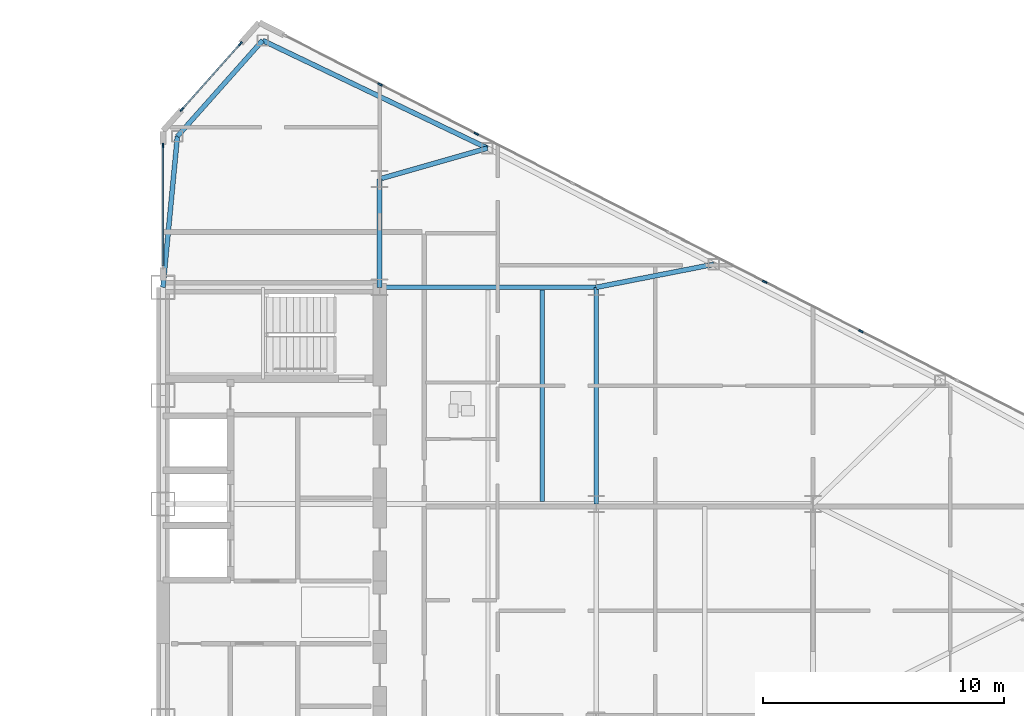
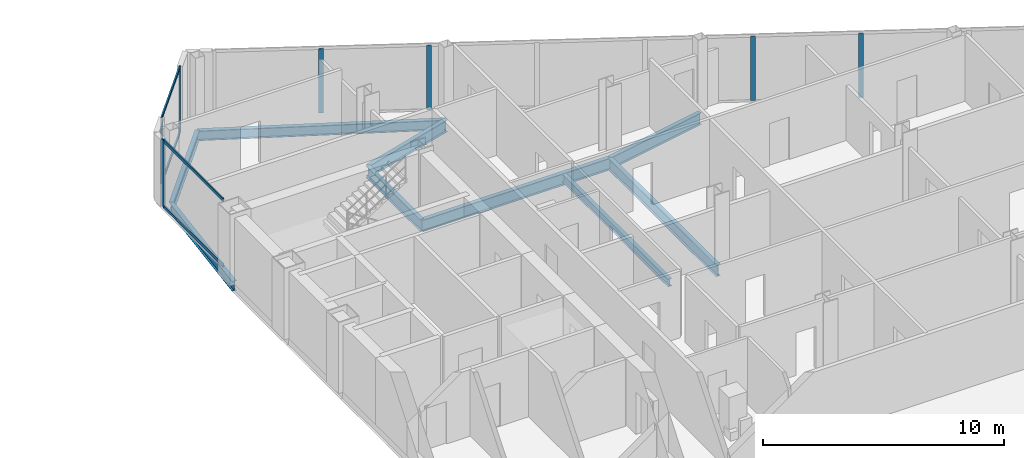
# One storey, part 11 of 22: 11 members, 9 beams, 3 elements without a shape of their own.
"""IFC4 building model written with IfcOpenShell, lengths in metres."""

from ifc_helpers import new_model, si_unit, direction, frame, origin, origin_2d, place, context, subcontext, project, spatial, rectangle, i_section, extrude, source, transform, mapped, material, layer, layer_set, material_profile, profile_set, type_object, type_shapes, element, aggregate, save


model = new_model("IFC4")

# Units and contexts
model_context = context("Model", 3, precision=1e-05, world=origin(), true_north=direction((0.0, 1.0)))
body_context = subcontext(model_context, "Body", "Model", "MODEL_VIEW")
ifc_project = project(units=[si_unit("LENGTHUNIT", "METRE"), si_unit("AREAUNIT", "SQUARE_METRE"), si_unit("VOLUMEUNIT", "CUBIC_METRE"), si_unit("PLANEANGLEUNIT", "RADIAN"), si_unit("MASSUNIT", "GRAM", prefix="KILO")], contexts=[model_context])

# Site, building, storey
site_placement = place(None, origin())
site = spatial("IfcSite", under=ifc_project, at=site_placement, CompositionType="ELEMENT")
building_placement = place(site_placement, origin())
building = spatial("IfcBuilding", under=site, at=building_placement, Name="Seokmaru Belvedere", CompositionType="ELEMENT")
storey_placement = place(building_placement, frame((0.0, 0.0, 151.199951171875)))
storey = spatial("IfcBuildingStorey", under=building, at=storey_placement, Name="L40", CompositionType="ELEMENT", Elevation=151.199951171875)

# Beams
ifc_material_1 = material(Name="Steel SM355 (355 MPa)", Category="steel")
ifc_material_profile_1 = material_profile(ifc_material_1, i_section(OverallWidth=0.199951171875, OverallDepth=0.60009765625, WebThickness=0.010986328125, FlangeThickness=0.01708984375, at=origin_2d()), Name="H-600x200x11x17")
ifc_profile_set_1 = profile_set([ifc_material_profile_1], Name="Steel SM355 (355 MPa)")
beam_type_1 = type_object("IfcBeamType", Name="Primary Floor Girder H-600", PredefinedType="BEAM", material=ifc_profile_set_1)
shared_shape_1 = source(origin(), body_context, "Body", "SweptSolid", [
    extrude(i_section(OverallWidth=0.199951171875, OverallDepth=0.60009765625, WebThickness=0.010986328125, FlangeThickness=0.01708984375, at=origin_2d()), origin(), (0.0, 0.0, 1.0), 9.0),
])
for number, where, z_axis, x_axis, name in (
    (1, (45.5, 4.5, -0.52001953125), (0.0, 1.0, 0.0), (-1.0, 0.0, 0.0), "L40 E Interior Grid Girder 3"),
    (2, (36.5, 13.5, -0.52001953125), (1.0, 0.0, 0.0), (0.0, 1.0, 0.0), "L40 E Wing Primary Girder 4"),
):
    element("IfcBeam", number, at=place(storey_placement, frame(where, z_axis=z_axis, x_axis=x_axis)), inside=storey, type_object=beam_type_1, Name=name, PredefinedType="BEAM", context=body_context, shape_type="MappedRepresentation", body=[
        mapped(shared_shape_1, transform((0.0, 0.0, 0.0), scale=1.0)),
    ])
ifc_material_profile_2 = material_profile(ifc_material_1, i_section(OverallWidth=0.18505859375, OverallDepth=0.389892578125, WebThickness=0.008056640625, FlangeThickness=0.011962890625, at=origin_2d()), Name="H-390x185x8x12")
ifc_profile_set_2 = profile_set([ifc_material_profile_2], Name="Steel SM355 (355 MPa)")
beam_type_2 = type_object("IfcBeamType", Name="Secondary Floor Joist H-350", PredefinedType="JOIST", material=ifc_profile_set_2)
shared_shape_2 = source(origin(), body_context, "Body", "SweptSolid", [
    extrude(i_section(OverallWidth=0.18505859375, OverallDepth=0.389892578125, WebThickness=0.008056640625, FlangeThickness=0.011962890625, at=origin_2d()), origin(), (0.0, 0.0, 1.0), 8.7900390625),
])
type_shapes(beam_type_2, [shared_shape_2])
beam_1_placement = place(storey_placement, frame((43.25, 4.60498046875, -0.4150390625), z_axis=(0.0, 1.0, 0.0), x_axis=(-1.0, 0.0, 0.0)))
element("IfcBeam", 3, at=beam_1_placement, inside=storey, type_object=beam_type_2, Name="L40 E Wing Inner Secondary Joist 2", PredefinedType="JOIST", context=body_context, shape_type="MappedRepresentation", body=[
    mapped(shared_shape_2, transform((0.0, 0.0, 0.0), scale=1.0)),
])
shared_shape_3 = source(origin(), body_context, "Body", "SweptSolid", [
    extrude(i_section(OverallWidth=0.199951171875, OverallDepth=0.60009765625, WebThickness=0.010986328125, FlangeThickness=0.01708984375, at=origin_2d()), origin(), (0.0, 0.0, 1.0), 4.5),
])
beam_2_placement = place(storey_placement, frame((36.5, 13.5, -0.52001953125), z_axis=(0.0, 1.0, 0.0), x_axis=(-1.0, 0.0, 0.0)))
element("IfcBeam", 4, at=beam_2_placement, inside=storey, type_object=beam_type_1, Name="L40 E Core Shoulder Girder N", PredefinedType="BEAM", context=body_context, shape_type="MappedRepresentation", body=[
    mapped(shared_shape_3, transform((0.0, 0.0, 0.0), scale=1.0)),
])
ifc_material_profile_3 = material_profile(ifc_material_1, i_section(OverallWidth=0.199951171875, OverallDepth=0.5, WebThickness=0.010009765625, FlangeThickness=0.01611328125, at=origin_2d()), Name="H-500x200x10x16")
ifc_profile_set_3 = profile_set([ifc_material_profile_3], Name="Steel SM355 (355 MPa)")
beam_type_3 = type_object("IfcBeamType", Name="Perimeter Spandrel Beam H-500", PredefinedType="SPANDREL", material=ifc_profile_set_3)
shared_shape_4 = source(origin(), body_context, "Body", "SweptSolid", [
    extrude(i_section(OverallWidth=0.199951171875, OverallDepth=0.5, WebThickness=0.010009765625, FlangeThickness=0.01611328125, at=origin_2d()), origin(), (0.0, 0.0, 1.0), 10.353759765625),
])
beam_3_placement = place(storey_placement, frame((31.6396484375, 23.75390625, -0.469970703125), z_axis=(0.901713202822, -0.432334708134, 0.0), x_axis=(0.432334708134, 0.901713202822, 0.0)))
element("IfcBeam", 5, at=beam_3_placement, inside=storey, type_object=beam_type_3, Name="L40 E Faceted Flank Spandrel N-1", PredefinedType="SPANDREL", context=body_context, shape_type="MappedRepresentation", body=[
    mapped(shared_shape_4, transform((0.0, 0.0, 0.0), scale=1.0)),
])
shared_shape_5 = source(origin(), body_context, "Body", "SweptSolid", [
    extrude(i_section(OverallWidth=0.199951171875, OverallDepth=0.5, WebThickness=0.010009765625, FlangeThickness=0.01611328125, at=origin_2d()), origin(), (0.0, 0.0, 1.0), 5.32763671875),
])
beam_4_placement = place(storey_placement, frame((31.6396484375, 23.75390625, -0.469970703125), z_axis=(-0.66436952742, -0.74740426212, 0.0), x_axis=(0.74740426212, -0.66436952742, 0.0)))
element("IfcBeam", 6, at=beam_4_placement, inside=storey, type_object=beam_type_3, Name="L40 E Shoulder Chamfer Spandrel N", PredefinedType="SPANDREL", context=body_context, shape_type="MappedRepresentation", body=[
    mapped(shared_shape_5, transform((0.0, 0.0, 0.0), scale=1.0)),
])
shared_shape_6 = source(origin(), body_context, "Body", "SweptSolid", [
    extrude(i_section(OverallWidth=0.199951171875, OverallDepth=0.5, WebThickness=0.010009765625, FlangeThickness=0.01611328125, at=origin_2d()), origin(), (0.0, 0.0, 1.0), 6.300537109375),
])
type_shapes(beam_type_3, [shared_shape_4, shared_shape_5, shared_shape_6])
beam_5_placement = place(storey_placement, frame((28.10009765625, 19.77197265625, -0.469970703125), z_axis=(-0.095244287992, -0.995453929424, 0.0), x_axis=(0.995453929424, -0.095244287992, 0.0)))
element("IfcBeam", 7, at=beam_5_placement, inside=storey, type_object=beam_type_3, Name="L40 E Shoulder Spine Spandrel N", PredefinedType="SPANDREL", context=body_context, shape_type="MappedRepresentation", body=[
    mapped(shared_shape_6, transform((0.0, 0.0, 0.0), scale=1.0)),
])
shared_shape_7 = source(origin(), body_context, "Body", "SweptSolid", [
    extrude(i_section(OverallWidth=0.199951171875, OverallDepth=0.60009765625, WebThickness=0.010986328125, FlangeThickness=0.01708984375, at=origin_2d()), origin(), (0.0, 0.0, 1.0), 4.654541015625),
])
beam_6_placement = place(storey_placement, frame((40.975830078125, 19.277587890625, -0.52001953125), z_axis=(-0.961593192625, -0.274478654721, 0.0), x_axis=(0.274478654721, -0.961593192625, 0.0)))
element("IfcBeam", 8, at=beam_6_placement, inside=storey, type_object=beam_type_1, Name="L40 E Flank Radial Floor Girder N-1", PredefinedType="BEAM", context=body_context, shape_type="MappedRepresentation", body=[
    mapped(shared_shape_7, transform((0.0, 0.0, 0.0), scale=1.0)),
])
shared_shape_8 = source(origin(), body_context, "Body", "SweptSolid", [
    extrude(i_section(OverallWidth=0.199951171875, OverallDepth=0.60009765625, WebThickness=0.010986328125, FlangeThickness=0.01708984375, at=origin_2d()), origin(), (0.0, 0.0, 1.0), 4.969482421875),
])
type_shapes(beam_type_1, [shared_shape_1, shared_shape_3, shared_shape_7, shared_shape_8])
beam_7_placement = place(storey_placement, frame((50.377197265625, 14.453369140625, -0.52001953125), z_axis=(-0.98142544456, -0.19184393858, 0.0), x_axis=(0.19184393858, -0.98142544456, 0.0)))
element("IfcBeam", 9, at=beam_7_placement, inside=storey, type_object=beam_type_1, Name="L40 E Flank Radial Floor Girder N-2", PredefinedType="BEAM", context=body_context, shape_type="MappedRepresentation", body=[
    mapped(shared_shape_8, transform((0.0, 0.0, 0.0), scale=1.0)),
])

# Curtain wall, members
ifc_material_2 = material(Name="Bronze Triple Insulating Glass", Category="glass")
ifc_layer = layer(ifc_material_2, 0.195068359375)
ifc_layer_set = layer_set([ifc_layer], Name="Bronze Triple Insulating Glass")
curtain_wall_type = type_object("IfcCurtainWallType", Name="Sky-Lobby and Mid-Rise Curtain Wall System CW-4", PredefinedType="NOTDEFINED", material=ifc_layer_set)
curtain_wall_1_placement = place(storey_placement, origin())
curtain_wall_1 = element("IfcCurtainWall", 10, at=curtain_wall_1_placement, inside=storey, type_object=curtain_wall_type, Name="L40 Curtain Wall EF4", PredefinedType="NOTDEFINED")
ifc_material_3 = material(Name="Anodised Bronze Aluminium", Category="aluminium")
ifc_material_profile_4 = material_profile(ifc_material_3, rectangle(XDim=0.070068359375, YDim=0.195068359375, at=origin_2d()), Name="CW-M-70x195")
ifc_profile_set_4 = profile_set([ifc_material_profile_4], Name="Anodised Bronze Aluminium")
member_type_1 = type_object("IfcMemberType", Name="Bronze Unitised Mullion 70x195", PredefinedType="MULLION", material=ifc_profile_set_4)
shared_shape_9 = source(origin(), body_context, "Body", "SweptSolid", [
    extrude(rectangle(XDim=0.070068359375, YDim=0.195068359375, at=origin_2d()), origin(), (0.0, 0.0, 1.0), 3.380126953125),
])
member_1_placement = place(storey_placement, frame((30.712646484375, 23.6142578125, 0.0), z_axis=(0.0, 0.0, 1.0), x_axis=(0.747409774804, -0.664363325694, 0.0)))
member_1 = element("IfcMember", 11, at=member_1_placement, type_object=member_type_1, Name="CW:L40:EF4 Mullion 1", PredefinedType="MULLION", context=body_context, shape_type="MappedRepresentation", body=[
    mapped(shared_shape_9, transform((0.0, 0.0, 0.0), scale=1.0)),
])
member_2_placement = place(storey_placement, frame((28.287353515625, 20.8857421875, 0.0), z_axis=(0.0, 0.0, 1.0), x_axis=(0.747409774804, -0.664363325694, 0.0)))
member_2 = element("IfcMember", 12, at=member_2_placement, type_object=member_type_1, Name="CW:L40:EF4 Mullion 2", PredefinedType="MULLION", context=body_context, shape_type="MappedRepresentation", body=[
    mapped(shared_shape_9, transform((0.0, 0.0, 0.0), scale=1.0)),
])

# Curtain wall, member
curtain_wall_2_placement = place(storey_placement, origin())
curtain_wall_2 = element("IfcCurtainWall", 13, at=curtain_wall_2_placement, inside=storey, type_object=curtain_wall_type, Name="L40 Curtain Wall ESP_2", PredefinedType="NOTDEFINED")
member_3_placement = place(storey_placement, frame((27.5, 19.39501953125, 0.0), z_axis=(0.0, 0.0, 1.0), x_axis=(1.0, 0.0, 0.0)))
member_3 = element("IfcMember", 14, at=member_3_placement, type_object=member_type_1, Name="CW:L40:ESP_2 Mullion 1", PredefinedType="MULLION", context=body_context, shape_type="MappedRepresentation", body=[
    mapped(shared_shape_9, transform((0.0, 0.0, 0.0), scale=1.0)),
])

# Member
ifc_material_profile_5 = material_profile(ifc_material_3, rectangle(XDim=0.06494140625, YDim=0.14990234375, at=origin_2d()), Name="CW-T-65x150")
ifc_profile_set_5 = profile_set([ifc_material_profile_5], Name="Anodised Bronze Aluminium")
member_type_2 = type_object("IfcMemberType", Name="Bronze Unitised Transom 65x150", PredefinedType="USERDEFINED", material=ifc_profile_set_5)
shared_shape_10 = source(origin(), body_context, "Body", "SweptSolid", [
    extrude(rectangle(XDim=0.06494140625, YDim=0.14990234375, at=origin_2d()), origin(), (0.0, 0.0, 1.0), 3.580810546875),
])
member_4_placement = place(storey_placement, frame((30.689453125, 23.588134765625, 0.032470703125), z_axis=(-0.66436383883, -0.747409318684, 0.0), x_axis=(0.747409318684, -0.66436383883, 0.0)))
member_4 = element("IfcMember", 15, at=member_4_placement, type_object=member_type_2, Name="CW:L40:EF4 Continuous Transom 1", ObjectType="TRANSOM", PredefinedType="USERDEFINED", context=body_context, shape_type="MappedRepresentation", body=[
    mapped(shared_shape_10, transform((0.0, 0.0, 0.0), scale=1.0)),
])

member_5_placement = place(storey_placement, frame((30.689453125, 23.588134765625, 3.34765625), z_axis=(-0.66436383883, -0.747409318684, 0.0), x_axis=(0.747409318684, -0.66436383883, 0.0)))
member_5 = element("IfcMember", 16, at=member_5_placement, type_object=member_type_2, Name="CW:L40:EF4 Continuous Transom 2", ObjectType="TRANSOM", PredefinedType="USERDEFINED", context=body_context, shape_type="MappedRepresentation", body=[
    mapped(shared_shape_10, transform((0.0, 0.0, 0.0), scale=1.0)),
])

aggregate(curtain_wall_1, [member_1, member_2, member_4, member_5])

# Curtain wall, members
curtain_wall_3_placement = place(storey_placement, origin())
curtain_wall_3 = element("IfcCurtainWall", 17, at=curtain_wall_3_placement, inside=storey, type_object=curtain_wall_type, Name="L40 Curtain Wall EF3", PredefinedType="NOTDEFINED")
shared_shape_11 = source(origin(), body_context, "Body", "SweptSolid", [
    extrude(rectangle(XDim=0.070068359375, YDim=0.195068359375, at=origin_2d()), origin(), (0.0, 0.0, 1.0), 3.25),
])
type_shapes(member_type_1, [shared_shape_9, shared_shape_11])
member_6_placement = place(storey_placement, frame((56.4921875, 11.675048828125, 0.06494140625), z_axis=(0.0, 0.0, 1.0), x_axis=(-0.456554528263, -0.889695432562, 0.0)))
member_6 = element("IfcMember", 18, at=member_6_placement, type_object=member_type_1, Name="CW:L40:EF3 Mullion 4", PredefinedType="MULLION", context=body_context, shape_type="MappedRepresentation", body=[
    mapped(shared_shape_11, transform((0.0, 0.0, 0.0), scale=1.0)),
])
member_7_placement = place(storey_placement, frame((52.497314453125, 13.72509765625, 0.06494140625), z_axis=(0.0, 0.0, 1.0), x_axis=(-0.456554528263, -0.889695432562, 0.0)))
member_7 = element("IfcMember", 19, at=member_7_placement, type_object=member_type_1, Name="CW:L40:EF3 Mullion 5", PredefinedType="MULLION", context=body_context, shape_type="MappedRepresentation", body=[
    mapped(shared_shape_11, transform((0.0, 0.0, 0.0), scale=1.0)),
])
member_8_placement = place(storey_placement, frame((40.5126953125, 19.875, 0.06494140625), z_axis=(0.0, 0.0, 1.0), x_axis=(-0.456554528263, -0.889695432562, 0.0)))
member_8 = element("IfcMember", 20, at=member_8_placement, type_object=member_type_1, Name="CW:L40:EF3 Mullion 8", PredefinedType="MULLION", context=body_context, shape_type="MappedRepresentation", body=[
    mapped(shared_shape_11, transform((0.0, 0.0, 0.0), scale=1.0)),
])
member_9_placement = place(storey_placement, frame((36.51806640625, 21.925048828125, 0.06494140625), z_axis=(0.0, 0.0, 1.0), x_axis=(-0.456554528263, -0.889695432562, 0.0)))
member_9 = element("IfcMember", 21, at=member_9_placement, type_object=member_type_1, Name="CW:L40:EF3 Mullion 9", PredefinedType="MULLION", context=body_context, shape_type="MappedRepresentation", body=[
    mapped(shared_shape_11, transform((0.0, 0.0, 0.0), scale=1.0)),
])
aggregate(curtain_wall_3, [member_6, member_7, member_8, member_9])

# Member
shared_shape_12 = source(origin(), body_context, "Body", "SweptSolid", [
    extrude(rectangle(XDim=0.06494140625, YDim=0.14990234375, at=origin_2d()), origin(), (0.0, 0.0, 1.0), 4.960205078125),
])
type_shapes(member_type_2, [shared_shape_10, shared_shape_12])
member_10_placement = place(storey_placement, frame((27.5, 19.360107421875, 0.032470703125), z_axis=(0.0, -1.0, 0.0), x_axis=(1.0, 0.0, 0.0)))
member_10 = element("IfcMember", 22, at=member_10_placement, type_object=member_type_2, Name="CW:L40:ESP_2 Continuous Transom 1", ObjectType="TRANSOM", PredefinedType="USERDEFINED", context=body_context, shape_type="MappedRepresentation", body=[
    mapped(shared_shape_12, transform((0.0, 0.0, 0.0), scale=1.0)),
])

member_11_placement = place(storey_placement, frame((27.5, 19.360107421875, 3.34765625), z_axis=(0.0, -1.0, 0.0), x_axis=(1.0, 0.0, 0.0)))
member_11 = element("IfcMember", 23, at=member_11_placement, type_object=member_type_2, Name="CW:L40:ESP_2 Continuous Transom 2", ObjectType="TRANSOM", PredefinedType="USERDEFINED", context=body_context, shape_type="MappedRepresentation", body=[
    mapped(shared_shape_12, transform((0.0, 0.0, 0.0), scale=1.0)),
])

aggregate(curtain_wall_2, [member_3, member_10, member_11])

save(model, "model.ifc")
